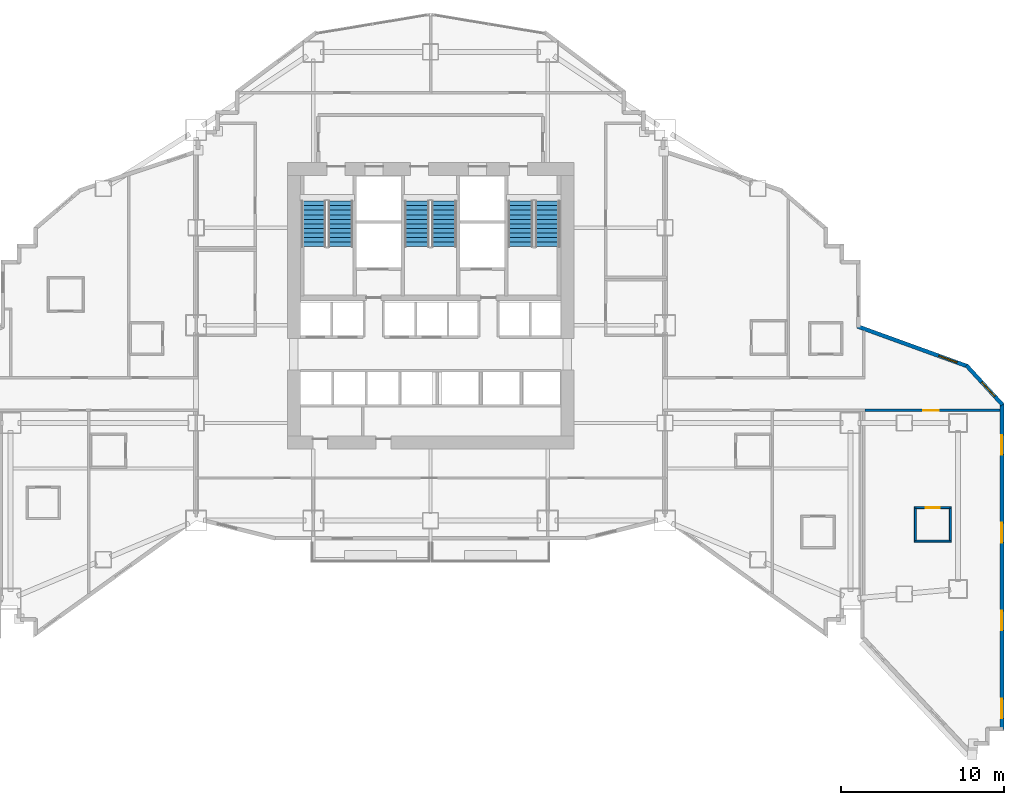
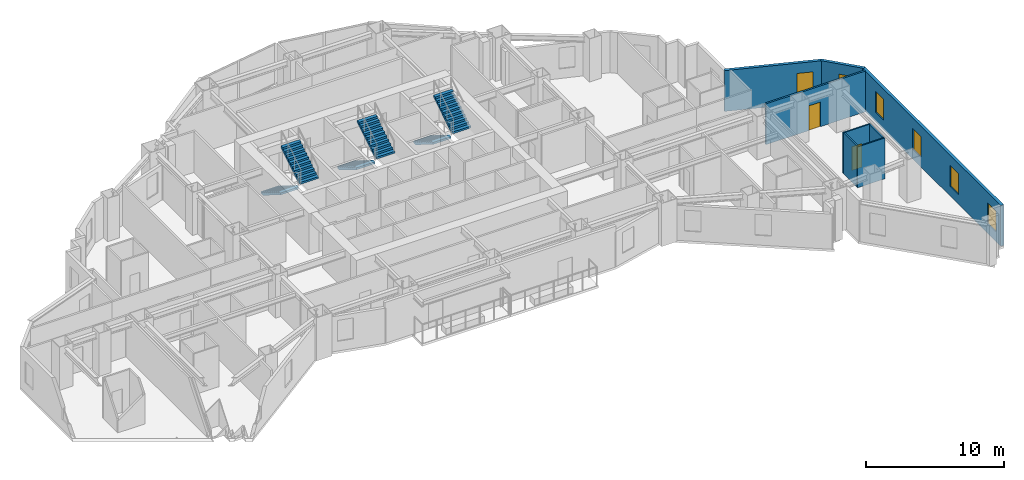
# One storey, part 12 of 17: 8 walls, 6 stair flights, 6 windows, 2 doors, 8 openings, 3 elements without a shape of their own.
"""IFC4 building model written with IfcOpenShell, lengths in metres."""

from ifc_helpers import new_model, si_unit, direction, frame, frame_2d, origin, place, context, subcontext, project, spatial, polyline, rectangle, outline, extrude, material, layer, layer_set, type_object, element, fill, aggregate, save


model = new_model("IFC4")

# Units and contexts
model_context = context("Model", 3, precision=1e-05, world=origin(), true_north=direction((0.0, 1.0)))
body_context = subcontext(model_context, "Body", "Model", "MODEL_VIEW")
ifc_project = project(units=[si_unit("LENGTHUNIT", "METRE"), si_unit("AREAUNIT", "SQUARE_METRE"), si_unit("VOLUMEUNIT", "CUBIC_METRE"), si_unit("PLANEANGLEUNIT", "RADIAN"), si_unit("MASSUNIT", "GRAM", prefix="KILO")], contexts=[model_context])

# Site, building, storey
site_placement = place(None, origin())
site = spatial("IfcSite", under=ifc_project, at=site_placement, CompositionType="ELEMENT")
building_placement = place(site_placement, origin())
building = spatial("IfcBuilding", under=site, at=building_placement, Name="Haolan Belvedere Tower", CompositionType="ELEMENT")
storey_placement = place(building_placement, frame((0.0, 0.0, 27.800048828125)))
storey = spatial("IfcBuildingStorey", under=building, at=storey_placement, Name="L06", CompositionType="ELEMENT", Elevation=27.800048828125)

# Wall, openings, windows
ifc_material_1 = material(Name="Precast concrete C40/50", Category="concrete")
ifc_layer_1 = layer(ifc_material_1, 0.239990234375, Name="Precast concrete C40/50")
ifc_layer_set_1 = layer_set([ifc_layer_1], Name="Precast concrete C40/50")
wall_type_1 = type_object("IfcWallType", Name="WL-EXT-240", PredefinedType="SOLIDWALL", material=ifc_layer_set_1)
wall_1_placement = place(storey_placement, frame((73.5, 8.756103515625, 0.0), z_axis=(0.0, 0.0, 1.0), x_axis=(0.0, 1.0, 0.0)))
wall_1 = element("IfcWall", 1, at=wall_1_placement, inside=storey, type_object=wall_type_1, Name="L06 pale-metal exterior spandrel wall 26.1", PredefinedType="SOLIDWALL", context=body_context, shape_type="SweptSolid", body=[
    extrude(rectangle(XDim=20.05224609375, YDim=0.239990234375, at=frame_2d((10.026123046875, 0.0))), origin(), (0.0, 0.0, 1.0), 3.599853515625),
])
opening_1_placement = place(wall_1_placement, frame((0.699951171875, 0.0, 0.85009765625)))
opening_1 = element("IfcOpeningElement", 2, at=opening_1_placement, cuts=wall_1, Name="Opening W-01", PredefinedType="OPENING", context=body_context, shape_type="SweptSolid", body=[
    extrude(rectangle(XDim=1.199951171875, YDim=1.85009765625, at=frame_2d((0.60009765625, 0.925048828125))), frame((0.0, 0.1298828125, 0.0), z_axis=(0.0, -1.0, 0.0), x_axis=(1.0, 0.0, 0.0)), (0.0, 0.0, 1.0), 0.260009765625),
])
opening_2_placement = place(wall_1_placement, frame((6.10009765625, 0.0, 0.85009765625)))
opening_2 = element("IfcOpeningElement", 3, at=opening_2_placement, cuts=wall_1, Name="Opening W-01", PredefinedType="OPENING", context=body_context, shape_type="SweptSolid", body=[
    extrude(rectangle(XDim=1.199951171875, YDim=1.85009765625, at=frame_2d((0.60009765625, 0.925048828125))), frame((0.0, 0.1298828125, 0.0), z_axis=(0.0, -1.0, 0.0), x_axis=(1.0, 0.0, 0.0)), (0.0, 0.0, 1.0), 0.260009765625),
])
opening_3_placement = place(wall_1_placement, frame((11.5, 0.0, 0.85009765625)))
opening_3 = element("IfcOpeningElement", 4, at=opening_3_placement, cuts=wall_1, Name="Opening W-01", PredefinedType="OPENING", context=body_context, shape_type="SweptSolid", body=[
    extrude(rectangle(XDim=1.199951171875, YDim=1.85009765625, at=frame_2d((0.60009765625, 0.925048828125))), frame((0.0, 0.1298828125, 0.0), z_axis=(0.0, -1.0, 0.0), x_axis=(1.0, 0.0, 0.0)), (0.0, 0.0, 1.0), 0.260009765625),
])
opening_4_placement = place(wall_1_placement, frame((16.89990234375, 0.0, 0.85009765625)))
opening_4 = element("IfcOpeningElement", 5, at=opening_4_placement, cuts=wall_1, Name="Opening W-01", PredefinedType="OPENING", context=body_context, shape_type="SweptSolid", body=[
    extrude(rectangle(XDim=1.199951171875, YDim=1.85009765625, at=frame_2d((0.60009765625, 0.925048828125))), frame((0.0, 0.1298828125, 0.0), z_axis=(0.0, -1.0, 0.0), x_axis=(1.0, 0.0, 0.0)), (0.0, 0.0, 1.0), 0.260009765625),
])
ifc_material_2 = material(Name="Anodised aluminium 6063-T6 and Low-E glass", Category="aluminium")
window_type = type_object("IfcWindowType", Name="WN-DECO-Z1", PartitioningType="SINGLE_PANEL", PredefinedType="WINDOW", material=ifc_material_2)
window_1_placement = place(opening_1_placement, origin())
window_1 = element("IfcWindow", 6, at=window_1_placement, inside=storey, type_object=window_type, Name="L06 Art Deco chevron window 1", OverallHeight=1.85009765625, OverallWidth=1.199951171875, PartitioningType="SINGLE_PANEL", PredefinedType="WINDOW", context=body_context, shape_type="SweptSolid", body=[
    extrude(rectangle(XDim=1.199951171875, YDim=1.85009765625, at=frame_2d((0.60009765625, 0.925048828125))), frame((0.0, 0.030029296875, 0.0), z_axis=(0.0, -1.0, 0.0), x_axis=(1.0, 0.0, 0.0)), (0.0, 0.0, 1.0), 0.06005859375),
])
fill(opening_1, window_1)
window_2_placement = place(opening_2_placement, origin())
window_2 = element("IfcWindow", 7, at=window_2_placement, inside=storey, type_object=window_type, Name="L06 Art Deco chevron window 2", OverallHeight=1.85009765625, OverallWidth=1.199951171875, PartitioningType="SINGLE_PANEL", PredefinedType="WINDOW", context=body_context, shape_type="SweptSolid", body=[
    extrude(rectangle(XDim=1.199951171875, YDim=1.85009765625, at=frame_2d((0.60009765625, 0.925048828125))), frame((0.0, 0.030029296875, 0.0), z_axis=(0.0, -1.0, 0.0), x_axis=(1.0, 0.0, 0.0)), (0.0, 0.0, 1.0), 0.06005859375),
])
fill(opening_2, window_2)
window_3_placement = place(opening_3_placement, origin())
window_3 = element("IfcWindow", 8, at=window_3_placement, inside=storey, type_object=window_type, Name="L06 Art Deco chevron window 3", OverallHeight=1.85009765625, OverallWidth=1.199951171875, PartitioningType="SINGLE_PANEL", PredefinedType="WINDOW", context=body_context, shape_type="SweptSolid", body=[
    extrude(rectangle(XDim=1.199951171875, YDim=1.85009765625, at=frame_2d((0.60009765625, 0.925048828125))), frame((0.0, 0.030029296875, 0.0), z_axis=(0.0, -1.0, 0.0), x_axis=(1.0, 0.0, 0.0)), (0.0, 0.0, 1.0), 0.06005859375),
])
fill(opening_3, window_3)
window_4_placement = place(opening_4_placement, origin())
window_4 = element("IfcWindow", 9, at=window_4_placement, inside=storey, type_object=window_type, Name="L06 Art Deco chevron window 4", OverallHeight=1.85009765625, OverallWidth=1.199951171875, PartitioningType="SINGLE_PANEL", PredefinedType="WINDOW", context=body_context, shape_type="SweptSolid", body=[
    extrude(rectangle(XDim=1.199951171875, YDim=1.85009765625, at=frame_2d((0.60009765625, 0.925048828125))), frame((0.0, 0.030029296875, 0.0), z_axis=(0.0, -1.0, 0.0), x_axis=(1.0, 0.0, 0.0)), (0.0, 0.0, 1.0), 0.06005859375),
])
fill(opening_4, window_4)

# Wall, opening, window
wall_2_placement = place(storey_placement, frame((73.537109375, 28.712890625, 0.0), z_axis=(0.0, 0.0, 1.0), x_axis=(-0.675751514454, 0.737129493856, 0.0)))
wall_2 = element("IfcWall", 10, at=wall_2_placement, inside=storey, type_object=wall_type_1, Name="L06 pale-metal exterior spandrel wall 27.1", PredefinedType="SOLIDWALL", context=body_context, shape_type="SweptSolid", body=[
    extrude(rectangle(XDim=3.28955078125, YDim=0.239990234375, at=frame_2d((1.644775390625, 0.0))), origin(), (0.0, 0.0, 1.0), 3.599853515625),
])
opening_5_placement = place(wall_2_placement, frame((0.699951171875, 0.0, 0.85009765625)))
opening_5 = element("IfcOpeningElement", 11, at=opening_5_placement, cuts=wall_2, Name="Opening W-01", PredefinedType="OPENING", context=body_context, shape_type="SweptSolid", body=[
    extrude(rectangle(XDim=1.199951171875, YDim=1.85009765625, at=frame_2d((0.60009765625, 0.925048828125))), frame((0.0, 0.1298828125, 0.0), z_axis=(0.0, -1.0, 0.0), x_axis=(1.0, 0.0, 0.0)), (0.0, 0.0, 1.0), 0.260009765625),
])
window_5_placement = place(opening_5_placement, origin())
window_5 = element("IfcWindow", 12, at=window_5_placement, inside=storey, type_object=window_type, Name="L06 Art Deco chevron window 1", OverallHeight=1.85009765625, OverallWidth=1.199951171875, PartitioningType="SINGLE_PANEL", PredefinedType="WINDOW", context=body_context, shape_type="SweptSolid", body=[
    extrude(rectangle(XDim=1.199951171875, YDim=1.85009765625, at=frame_2d((0.60009765625, 0.925048828125))), frame((0.0, 0.030029296875, 0.0), z_axis=(0.0, -1.0, 0.0), x_axis=(1.0, 0.0, 0.0)), (0.0, 0.0, 1.0), 0.06005859375),
])
fill(opening_5, window_5)

wall_3_placement = place(storey_placement, frame((71.403076171875, 31.07861328125, 0.0), z_axis=(0.0, 0.0, 1.0), x_axis=(-0.940125345433, 0.340828893836, 0.0)))
wall_3 = element("IfcWall", 13, at=wall_3_placement, inside=storey, type_object=wall_type_1, Name="L06 pale-metal exterior spandrel wall 28.1", PredefinedType="SOLIDWALL", context=body_context, shape_type="SweptSolid", body=[
    extrude(rectangle(XDim=7.2060546875, YDim=0.239990234375, at=frame_2d((3.60302734375, 0.0))), origin(), (0.0, 0.0, 1.0), 3.599853515625),
])
opening_6_placement = place(wall_3_placement, frame((0.699951171875, 0.0, 0.85009765625)))
opening_6 = element("IfcOpeningElement", 14, at=opening_6_placement, cuts=wall_3, Name="Opening W-01", PredefinedType="OPENING", context=body_context, shape_type="SweptSolid", body=[
    extrude(rectangle(XDim=1.199951171875, YDim=1.85009765625, at=frame_2d((0.60009765625, 0.925048828125))), frame((0.0, 0.1298828125, 0.0), z_axis=(0.0, -1.0, 0.0), x_axis=(1.0, 0.0, 0.0)), (0.0, 0.0, 1.0), 0.260009765625),
])
window_6_placement = place(opening_6_placement, origin())
window_6 = element("IfcWindow", 15, at=window_6_placement, inside=storey, type_object=window_type, Name="L06 Art Deco chevron window 1", OverallHeight=1.85009765625, OverallWidth=1.199951171875, PartitioningType="SINGLE_PANEL", PredefinedType="WINDOW", context=body_context, shape_type="SweptSolid", body=[
    extrude(rectangle(XDim=1.199951171875, YDim=1.85009765625, at=frame_2d((0.60009765625, 0.925048828125))), frame((0.0, 0.030029296875, 0.0), z_axis=(0.0, -1.0, 0.0), x_axis=(1.0, 0.0, 0.0)), (0.0, 0.0, 1.0), 0.06005859375),
])
fill(opening_6, window_6)

# Wall, opening, door
ifc_material_3 = material(Name="Double gypsum acoustic stud partition", Category="masonry")
ifc_layer_2 = layer(ifc_material_3, 0.14990234375, Name="Double gypsum acoustic stud partition")
ifc_layer_set_2 = layer_set([ifc_layer_2], Name="Double gypsum acoustic stud partition")
wall_type_2 = type_object("IfcWallType", Name="WL-PART-150", PredefinedType="PARTITIONING", material=ifc_layer_set_2)
wall_4_placement = place(storey_placement, frame((65.10205078125, 28.3701171875, 0.0), z_axis=(0.0, 0.0, 1.0), x_axis=(1.0, 0.0, 0.0)))
wall_4 = element("IfcWall", 16, at=wall_4_placement, inside=storey, type_object=wall_type_2, Name="L06 interior partition IW-L06-T5S1-N", PredefinedType="PARTITIONING", context=body_context, shape_type="SweptSolid", body=[
    extrude(rectangle(XDim=8.29296875, YDim=0.14990234375, at=frame_2d((4.146484375, 0.0))), origin(), (0.0, 0.0, 1.0), 3.599853515625),
])
opening_7_placement = place(wall_4_placement, frame((4.52783203125, 0.0, 0.0), z_axis=(0.0, 0.0, 1.0), x_axis=(-1.0, 0.0, 0.0)))
opening_7 = element("IfcOpeningElement", 17, at=opening_7_placement, cuts=wall_4, Name="Opening ID-01", PredefinedType="OPENING", context=body_context, shape_type="SweptSolid", body=[
    extrude(rectangle(XDim=0.949951171875, YDim=2.179931640625, at=frame_2d((0.47509765625, 1.08984375))), frame((0.0, 0.0849609375, 0.0), z_axis=(0.0, -1.0, 0.0), x_axis=(1.0, 0.0, 0.0)), (0.0, 0.0, 1.0), 0.169921875),
])
ifc_material_4 = material(Name="Acoustic walnut veneer fire-rated timber", Category="wood")
door_type_1 = type_object("IfcDoorType", Name="DR-SUITE-950", OperationType="NOTDEFINED", PredefinedType="DOOR", material=ifc_material_4)
door_1_placement = place(opening_7_placement, origin())
door_1 = element("IfcDoor", 18, at=door_1_placement, inside=storey, type_object=door_type_1, Name="L06 door ID-L06-T5S1-ENT", OperationType="SINGLE_SWING_RIGHT", OverallHeight=2.179931640625, OverallWidth=0.949951171875, PredefinedType="DOOR", context=body_context, shape_type="SweptSolid", body=[
    extrude(rectangle(XDim=0.949951171875, YDim=2.179931640625, at=frame_2d((0.47509765625, 1.08984375))), frame((0.0, 0.02490234375, 0.0), z_axis=(0.0, -1.0, 0.0), x_axis=(1.0, 0.0, 0.0)), (0.0, 0.0, 1.0), 0.050048828125),
])
fill(opening_7, door_1)

ifc_material_5 = material(Name="Moisture-resistant gypsum tile partition", Category="masonry")
ifc_layer_3 = layer(ifc_material_5, 0.1201171875, Name="Moisture-resistant gypsum tile partition")
ifc_layer_set_3 = layer_set([ifc_layer_3], Name="Moisture-resistant gypsum tile partition")
wall_type_3 = type_object("IfcWallType", Name="WL-WET-120", PredefinedType="PARTITIONING", material=ifc_layer_set_3)
wall_5_placement = place(storey_placement, frame((68.116943359375, 22.39794921875, 0.0), z_axis=(0.0, 0.0, 1.0), x_axis=(1.0, 0.0, 0.0)))
wall_5 = element("IfcWall", 19, at=wall_5_placement, inside=storey, type_object=wall_type_3, Name="L06 interior partition IW-L06-T5S1-BN", PredefinedType="PARTITIONING", context=body_context, shape_type="SweptSolid", body=[
    extrude(rectangle(XDim=2.27001953125, YDim=0.1201171875, at=frame_2d((1.135009765625, 0.0))), origin(), (0.0, 0.0, 1.0), 3.599853515625),
])
opening_8_placement = place(wall_5_placement, frame((1.56005859375, 0.0, 0.0), z_axis=(0.0, 0.0, 1.0), x_axis=(-1.0, 0.0, 0.0)))
opening_8 = element("IfcOpeningElement", 20, at=opening_8_placement, cuts=wall_5, Name="Opening ID-05", PredefinedType="OPENING", context=body_context, shape_type="SweptSolid", body=[
    extrude(rectangle(XDim=0.85009765625, YDim=2.10009765625, at=frame_2d((0.425048828125, 1.050048828125))), frame((0.0, 0.070068359375, 0.0), z_axis=(0.0, -1.0, 0.0), x_axis=(1.0, 0.0, 0.0)), (0.0, 0.0, 1.0), 0.14013671875),
])
ifc_material_6 = material(Name="Moisture-resistant lacquered timber", Category="wood")
door_type_2 = type_object("IfcDoorType", Name="DR-BATH-850", OperationType="NOTDEFINED", PredefinedType="DOOR", material=ifc_material_6)
door_2_placement = place(opening_8_placement, origin())
door_2 = element("IfcDoor", 21, at=door_2_placement, inside=storey, type_object=door_type_2, Name="L06 door ID-L06-T5S1-BATH", OperationType="SINGLE_SWING_LEFT", OverallHeight=2.10009765625, OverallWidth=0.85009765625, PredefinedType="DOOR", context=body_context, shape_type="SweptSolid", body=[
    extrude(rectangle(XDim=0.85009765625, YDim=2.10009765625, at=frame_2d((0.425048828125, 1.050048828125))), frame((0.0, 0.02490234375, 0.0), z_axis=(0.0, -1.0, 0.0), x_axis=(1.0, 0.0, 0.0)), (0.0, 0.0, 1.0), 0.050048828125),
])
fill(opening_8, door_2)

# Walls
wall_6_placement = place(storey_placement, frame((68.116943359375, 20.347900390625, 0.0), z_axis=(0.0, 0.0, 1.0), x_axis=(1.0, 0.0, 0.0)))
element("IfcWall", 22, at=wall_6_placement, inside=storey, type_object=wall_type_3, Name="L06 interior partition IW-L06-T5S1-BS", PredefinedType="PARTITIONING", context=body_context, shape_type="SweptSolid", body=[
    extrude(rectangle(XDim=2.27001953125, YDim=0.1201171875, at=frame_2d((1.135009765625, 0.0))), origin(), (0.0, 0.0, 1.0), 3.599853515625),
])
for number, where, z_axis, x_axis, name in (
    (23, (68.177001953125, 20.39306640625, 0.0), (0.0, 0.0, 1.0), (0.0, 1.0, 0.0), "L06 interior partition IW-L06-T5S1-BW"),
    (24, (70.326904296875, 20.39306640625, 0.0), (0.0, 0.0, 1.0), (0.0, 1.0, 0.0), "L06 interior partition IW-L06-T5S1-BE"),
):
    element("IfcWall", number, at=place(storey_placement, frame(where, z_axis=z_axis, x_axis=x_axis)), inside=storey, type_object=wall_type_3, Name=name, PredefinedType="PARTITIONING", context=body_context, shape_type="SweptSolid", body=[
        extrude(rectangle(XDim=1.9599609375, YDim=0.1201171875, at=frame_2d((0.97998046875, 0.0))), origin(), (0.0, 0.0, 1.0), 3.599853515625),
    ])

# Stair, stair flights
ifc_material_7 = material(Name="Concrete C40/50", Category="concrete")
stair_type = type_object("IfcStairType", Name="STR-DL-22R-173", PredefinedType="HALF_TURN_STAIR", material=ifc_material_7)
stair_1_placement = place(storey_placement, origin())
stair_1 = element("IfcStair", 25, at=stair_1_placement, inside=storey, type_object=stair_type, Name="L06 Smokeproof Core Exit Stair ST1", PredefinedType="HALF_TURN_STAIR")
stair_flight_type = type_object("IfcStairFlightType", Name="SFL-DL-11R-173", PredefinedType="STRAIGHT", material=ifc_material_7)
stair_flight_1_placement = place(storey_placement, frame((31.2099609375, 41.22998046875, 0.0), z_axis=(0.0, 0.0, 1.0), x_axis=(0.0, -1.0, 0.0)))
stair_flight_1 = element("IfcStairFlight", 26, at=stair_flight_1_placement, type_object=stair_flight_type, Name="ST1 flight 1", NumberOfRisers=11, NumberOfTreads=10, PredefinedType="STRAIGHT", RiserHeight=0.172727273, TreadLength=0.28, context=body_context, shape_type="SweptSolid", body=[
    extrude(outline(polyline([(0.0, 0.0), (0.0, 0.172607421875), (0.280029296875, 0.172607421875), (0.280029296875, 0.345458984375), (0.56005859375, 0.345458984375), (0.56005859375, 0.51806640625), (0.840087890625, 0.51806640625), (0.840087890625, 0.69091796875), (1.1201171875, 0.69091796875), (1.1201171875, 0.863525390625), (1.39990234375, 0.863525390625), (1.39990234375, 1.036376953125), (1.679931640625, 1.036376953125), (1.679931640625, 1.208984375), (1.9599609375, 1.208984375), (1.9599609375, 1.3818359375), (2.239990234375, 1.3818359375), (2.239990234375, 1.554443359375), (2.52001953125, 1.554443359375), (2.52001953125, 1.727294921875), (2.800048828125, 1.727294921875), (2.800048828125, 1.89990234375), (2.800048828125, 1.551025390625), (0.285400390625, 0.0), (0.0, 0.0)])), frame((0.0, 0.760009765625, 0.0), z_axis=(0.0, -1.0, 0.0), x_axis=(1.0, 0.0, 0.0)), (0.0, 0.0, 1.0), 1.52001953125),
])
stair_flight_2_placement = place(storey_placement, frame((32.8701171875, 38.429931640625, 1.89990234375), z_axis=(0.0, 0.0, 1.0), x_axis=(0.0, 1.0, 0.0)))
stair_flight_2 = element("IfcStairFlight", 27, at=stair_flight_2_placement, type_object=stair_flight_type, Name="ST1 flight 2", NumberOfRisers=11, NumberOfTreads=10, PredefinedType="STRAIGHT", RiserHeight=0.172727273, TreadLength=0.28, context=body_context, shape_type="SweptSolid", body=[
    extrude(outline(polyline([(0.0, 0.0), (0.0, 0.172607421875), (0.280029296875, 0.172607421875), (0.280029296875, 0.345458984375), (0.56005859375, 0.345458984375), (0.56005859375, 0.51806640625), (0.840087890625, 0.51806640625), (0.840087890625, 0.69091796875), (1.1201171875, 0.69091796875), (1.1201171875, 0.863525390625), (1.39990234375, 0.863525390625), (1.39990234375, 1.036376953125), (1.679931640625, 1.036376953125), (1.679931640625, 1.208984375), (1.9599609375, 1.208984375), (1.9599609375, 1.3818359375), (2.239990234375, 1.3818359375), (2.239990234375, 1.554443359375), (2.52001953125, 1.554443359375), (2.52001953125, 1.727294921875), (2.800048828125, 1.727294921875), (2.800048828125, 1.89990234375), (2.800048828125, 1.551025390625), (0.285400390625, 0.0), (0.0, 0.0)])), frame((0.0, 0.760009765625, 0.0), z_axis=(0.0, -1.0, 0.0), x_axis=(1.0, 0.0, 0.0)), (0.0, 0.0, 1.0), 1.52001953125),
])
aggregate(stair_1, [stair_flight_1, stair_flight_2])

stair_2_placement = place(storey_placement, origin())
stair_2 = element("IfcStair", 28, at=stair_2_placement, inside=storey, type_object=stair_type, Name="L06 Smokeproof Core Exit Stair ST3", PredefinedType="HALF_TURN_STAIR")
stair_flight_3_placement = place(storey_placement, frame((37.570068359375, 41.22998046875, 0.0), z_axis=(0.0, 0.0, 1.0), x_axis=(0.0, -1.0, 0.0)))
stair_flight_3 = element("IfcStairFlight", 29, at=stair_flight_3_placement, type_object=stair_flight_type, Name="ST3 flight 1", NumberOfRisers=11, NumberOfTreads=10, PredefinedType="STRAIGHT", RiserHeight=0.172727273, TreadLength=0.28, context=body_context, shape_type="SweptSolid", body=[
    extrude(outline(polyline([(0.0, 0.0), (0.0, 0.172607421875), (0.280029296875, 0.172607421875), (0.280029296875, 0.345458984375), (0.56005859375, 0.345458984375), (0.56005859375, 0.51806640625), (0.840087890625, 0.51806640625), (0.840087890625, 0.69091796875), (1.1201171875, 0.69091796875), (1.1201171875, 0.863525390625), (1.39990234375, 0.863525390625), (1.39990234375, 1.036376953125), (1.679931640625, 1.036376953125), (1.679931640625, 1.208984375), (1.9599609375, 1.208984375), (1.9599609375, 1.3818359375), (2.239990234375, 1.3818359375), (2.239990234375, 1.554443359375), (2.52001953125, 1.554443359375), (2.52001953125, 1.727294921875), (2.800048828125, 1.727294921875), (2.800048828125, 1.89990234375), (2.800048828125, 1.551025390625), (0.285400390625, 0.0), (0.0, 0.0)])), frame((0.0, 0.760009765625, 0.0), z_axis=(0.0, -1.0, 0.0), x_axis=(1.0, 0.0, 0.0)), (0.0, 0.0, 1.0), 1.52001953125),
])
stair_flight_4_placement = place(storey_placement, frame((39.22998046875, 38.429931640625, 1.89990234375), z_axis=(0.0, 0.0, 1.0), x_axis=(0.0, 1.0, 0.0)))
stair_flight_4 = element("IfcStairFlight", 30, at=stair_flight_4_placement, type_object=stair_flight_type, Name="ST3 flight 2", NumberOfRisers=11, NumberOfTreads=10, PredefinedType="STRAIGHT", RiserHeight=0.172727273, TreadLength=0.28, context=body_context, shape_type="SweptSolid", body=[
    extrude(outline(polyline([(0.0, 0.0), (0.0, 0.172607421875), (0.280029296875, 0.172607421875), (0.280029296875, 0.345458984375), (0.56005859375, 0.345458984375), (0.56005859375, 0.51806640625), (0.840087890625, 0.51806640625), (0.840087890625, 0.69091796875), (1.1201171875, 0.69091796875), (1.1201171875, 0.863525390625), (1.39990234375, 0.863525390625), (1.39990234375, 1.036376953125), (1.679931640625, 1.036376953125), (1.679931640625, 1.208984375), (1.9599609375, 1.208984375), (1.9599609375, 1.3818359375), (2.239990234375, 1.3818359375), (2.239990234375, 1.554443359375), (2.52001953125, 1.554443359375), (2.52001953125, 1.727294921875), (2.800048828125, 1.727294921875), (2.800048828125, 1.89990234375), (2.800048828125, 1.551025390625), (0.285400390625, 0.0), (0.0, 0.0)])), frame((0.0, 0.760009765625, 0.0), z_axis=(0.0, -1.0, 0.0), x_axis=(1.0, 0.0, 0.0)), (0.0, 0.0, 1.0), 1.52001953125),
])
aggregate(stair_2, [stair_flight_3, stair_flight_4])

stair_3_placement = place(storey_placement, origin())
stair_3 = element("IfcStair", 31, at=stair_3_placement, inside=storey, type_object=stair_type, Name="L06 Smokeproof Core Exit Stair ST2", PredefinedType="HALF_TURN_STAIR")
stair_flight_5_placement = place(storey_placement, frame((43.929931640625, 41.22998046875, 0.0), z_axis=(0.0, 0.0, 1.0), x_axis=(0.0, -1.0, 0.0)))
stair_flight_5 = element("IfcStairFlight", 32, at=stair_flight_5_placement, type_object=stair_flight_type, Name="ST2 flight 1", NumberOfRisers=11, NumberOfTreads=10, PredefinedType="STRAIGHT", RiserHeight=0.172727273, TreadLength=0.28, context=body_context, shape_type="SweptSolid", body=[
    extrude(outline(polyline([(0.0, 0.0), (0.0, 0.172607421875), (0.280029296875, 0.172607421875), (0.280029296875, 0.345458984375), (0.56005859375, 0.345458984375), (0.56005859375, 0.51806640625), (0.840087890625, 0.51806640625), (0.840087890625, 0.69091796875), (1.1201171875, 0.69091796875), (1.1201171875, 0.863525390625), (1.39990234375, 0.863525390625), (1.39990234375, 1.036376953125), (1.679931640625, 1.036376953125), (1.679931640625, 1.208984375), (1.9599609375, 1.208984375), (1.9599609375, 1.3818359375), (2.239990234375, 1.3818359375), (2.239990234375, 1.554443359375), (2.52001953125, 1.554443359375), (2.52001953125, 1.727294921875), (2.800048828125, 1.727294921875), (2.800048828125, 1.89990234375), (2.800048828125, 1.551025390625), (0.285400390625, 0.0), (0.0, 0.0)])), frame((0.0, 0.760009765625, 0.0), z_axis=(0.0, -1.0, 0.0), x_axis=(1.0, 0.0, 0.0)), (0.0, 0.0, 1.0), 1.52001953125),
])
stair_flight_6_placement = place(storey_placement, frame((45.590087890625, 38.429931640625, 1.89990234375), z_axis=(0.0, 0.0, 1.0), x_axis=(0.0, 1.0, 0.0)))
stair_flight_6 = element("IfcStairFlight", 33, at=stair_flight_6_placement, type_object=stair_flight_type, Name="ST2 flight 2", NumberOfRisers=11, NumberOfTreads=10, PredefinedType="STRAIGHT", RiserHeight=0.172727273, TreadLength=0.28, context=body_context, shape_type="SweptSolid", body=[
    extrude(outline(polyline([(0.0, 0.0), (0.0, 0.172607421875), (0.280029296875, 0.172607421875), (0.280029296875, 0.345458984375), (0.56005859375, 0.345458984375), (0.56005859375, 0.51806640625), (0.840087890625, 0.51806640625), (0.840087890625, 0.69091796875), (1.1201171875, 0.69091796875), (1.1201171875, 0.863525390625), (1.39990234375, 0.863525390625), (1.39990234375, 1.036376953125), (1.679931640625, 1.036376953125), (1.679931640625, 1.208984375), (1.9599609375, 1.208984375), (1.9599609375, 1.3818359375), (2.239990234375, 1.3818359375), (2.239990234375, 1.554443359375), (2.52001953125, 1.554443359375), (2.52001953125, 1.727294921875), (2.800048828125, 1.727294921875), (2.800048828125, 1.89990234375), (2.800048828125, 1.551025390625), (0.285400390625, 0.0), (0.0, 0.0)])), frame((0.0, 0.760009765625, 0.0), z_axis=(0.0, -1.0, 0.0), x_axis=(1.0, 0.0, 0.0)), (0.0, 0.0, 1.0), 1.52001953125),
])
aggregate(stair_3, [stair_flight_5, stair_flight_6])

save(model, "model.ifc")
